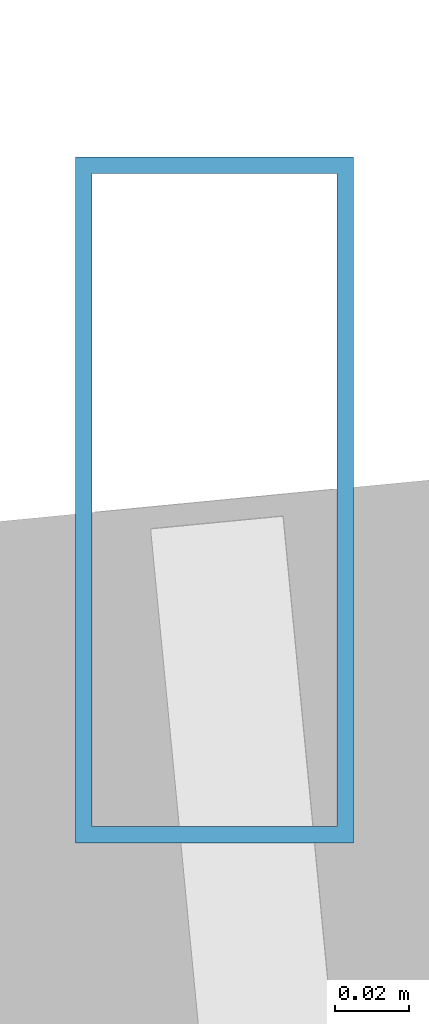
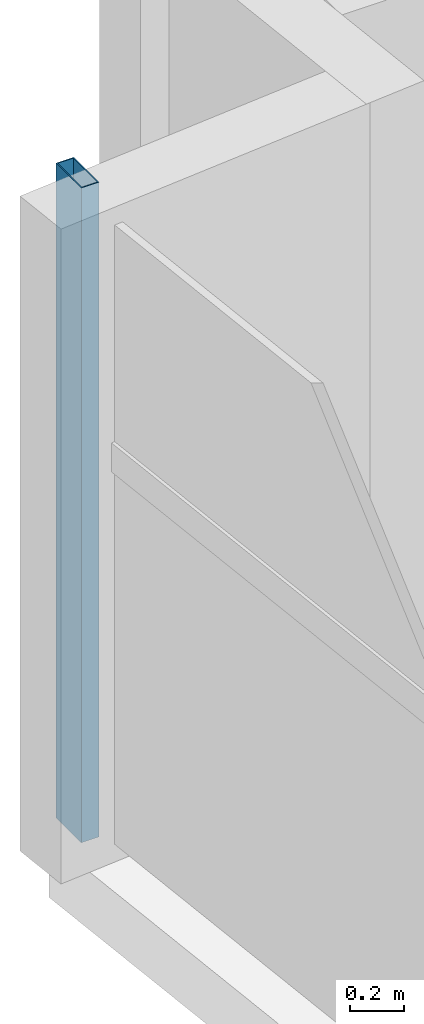
# One storey, part 8 of 25: 1 member, 1 element without a shape of its own.
"""IFC4 building model written with IfcOpenShell, lengths in metres."""

from ifc_helpers import new_model, si_unit, direction, frame, origin, origin_2d, place, context, subcontext, project, spatial, hollow_rectangle, extrude, source, transform, mapped, material, material_profile, profile_set, type_object, type_shapes, element, aggregate, save


model = new_model("IFC4")

# Units and contexts
model_context = context("Model", 3, precision=1e-05, world=origin(), true_north=direction((0.0, 1.0)))
body_context = subcontext(model_context, "Body", "Model", "MODEL_VIEW")
ifc_project = project(units=[si_unit("LENGTHUNIT", "METRE"), si_unit("AREAUNIT", "SQUARE_METRE"), si_unit("VOLUMEUNIT", "CUBIC_METRE"), si_unit("PLANEANGLEUNIT", "RADIAN"), si_unit("MASSUNIT", "GRAM", prefix="KILO")], contexts=[model_context])

# Site, building, storey
site_placement = place(None, origin())
site = spatial("IfcSite", under=ifc_project, at=site_placement, CompositionType="ELEMENT")
building_placement = place(site_placement, origin())
building = spatial("IfcBuilding", under=site, at=building_placement, Name="Astriad Promenade Condominiums", CompositionType="ELEMENT")
storey_placement = place(building_placement, frame((0.0, 0.0, 103.39990234375)))
storey = spatial("IfcBuildingStorey", under=building, at=storey_placement, Name="L29", CompositionType="ELEMENT", Elevation=103.39990234375)

# Curtain wall, member
ifc_material_1 = material(Name="Anodised aluminium Black Dark Glass Unitised", Category="aluminium")
curtain_wall_type = type_object("IfcCurtainWallType", Name="CW-B2-DARK", PredefinedType="USERDEFINED", material=ifc_material_1)
curtain_wall_placement = place(storey_placement, origin())
curtain_wall = element("IfcCurtainWall", 1, at=curtain_wall_placement, inside=storey, type_object=curtain_wall_type, Name="CW-L29-W", ObjectType="UNITISED_CURTAIN_WALL", PredefinedType="USERDEFINED")
ifc_material_2 = material(Name="Anodised aluminium 6063-T6 Black", Category="aluminium")
ifc_material_profile = material_profile(ifc_material_2, hollow_rectangle(XDim=0.074951171875, YDim=0.18505859375, WallThickness=0.00439453125, at=origin_2d()), Name="ALU-MUL-75X185")
ifc_profile_set = profile_set([ifc_material_profile], Name="Anodised aluminium 6063-T6 Black")
member_type = type_object("IfcMemberType", Name="MUL-ALU-MUL-75X185", PredefinedType="MULLION", material=ifc_profile_set)
shared_shape = source(origin(), body_context, "Body", "SweptSolid", [
    extrude(hollow_rectangle(XDim=0.074951171875, YDim=0.18505859375, WallThickness=0.00439453125, at=origin_2d()), origin(), (0.0, 0.0, 1.0), 2.940185546875),
])
type_shapes(member_type, [shared_shape])
member_placement = place(storey_placement, frame((8.94775390625, 20.921875, 0.0), z_axis=(0.0, 0.0, 1.0), x_axis=(1.0, 0.0, 0.0)))
member = element("IfcMember", 2, at=member_placement, type_object=member_type, Name="CW-L29-W-MUL-03", PredefinedType="MULLION", context=body_context, shape_type="MappedRepresentation", body=[
    mapped(shared_shape, transform((0.0, 0.0, 0.0), scale=1.0)),
])
aggregate(curtain_wall, [member])

save(model, "model.ifc")
